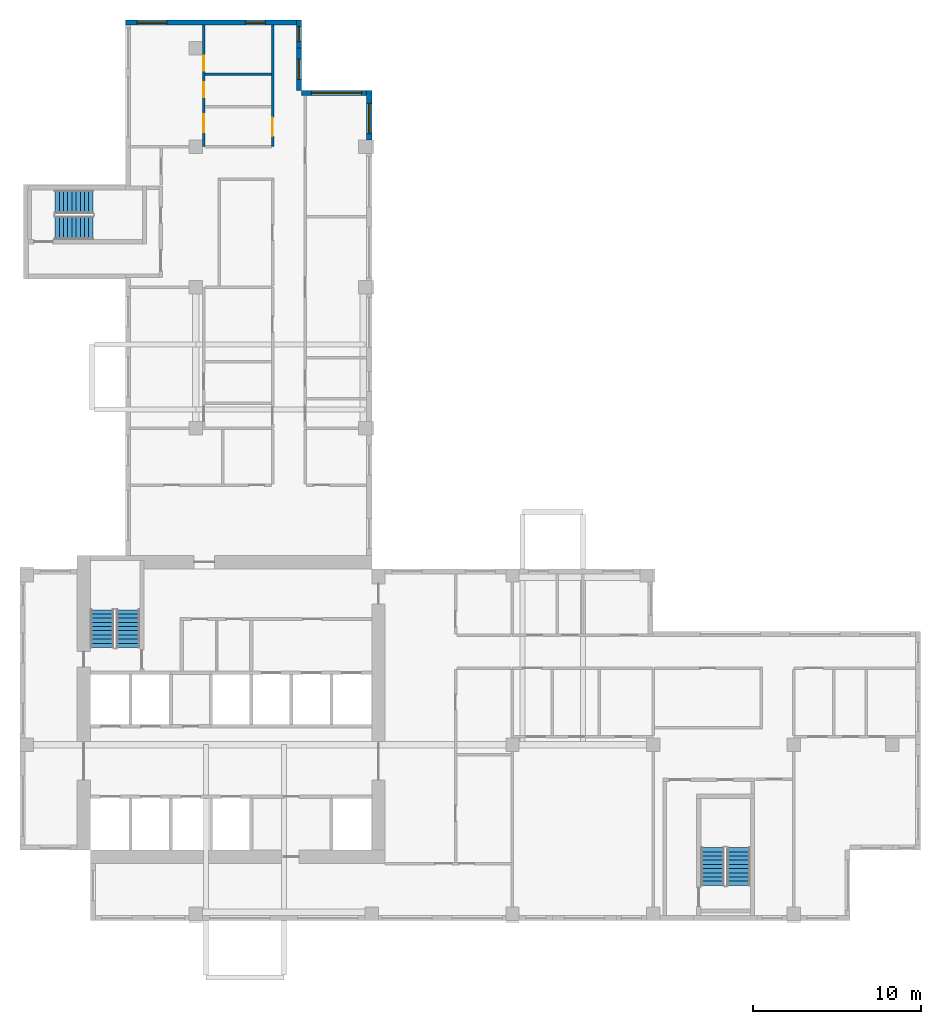
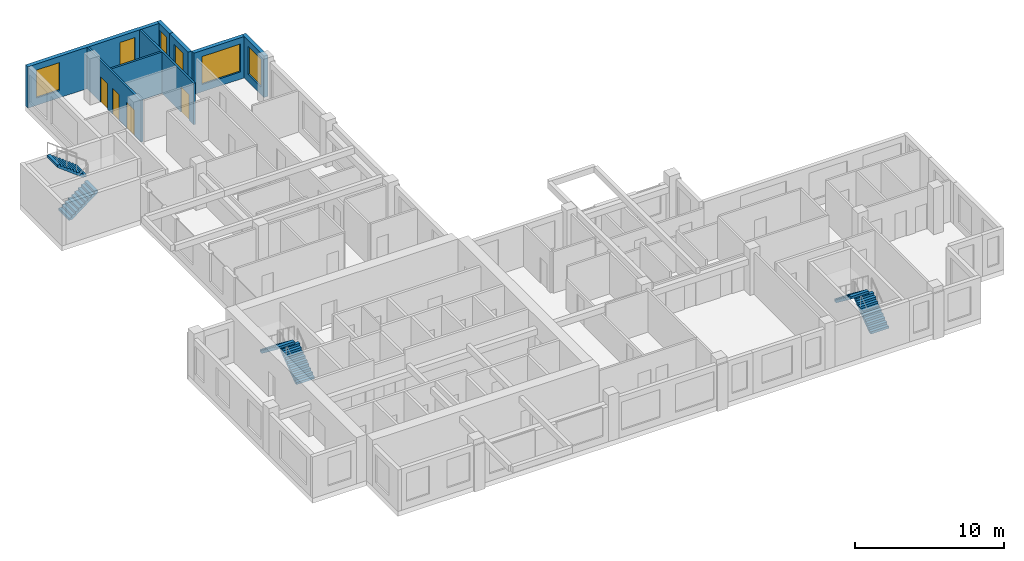
# One storey, part 7 of 11: 8 walls, 6 stair flights, 6 windows, 4 doors, 10 openings, 3 elements without a shape of their own.
"""IFC4 building model written with IfcOpenShell, lengths in metres."""

from ifc_helpers import new_model, si_unit, direction, frame, frame_2d, origin, place, context, subcontext, project, spatial, polyline, rectangle, outline, extrude, source, transform, mapped, material, layer, layer_set, type_object, element, fill, aggregate, save


model = new_model("IFC4")

# Units and contexts
model_context = context("Model", 3, precision=1e-05, world=origin(), true_north=direction((0.0, 1.0)))
body_context = subcontext(model_context, "Body", "Model", "MODEL_VIEW")
ifc_project = project(units=[si_unit("LENGTHUNIT", "METRE"), si_unit("AREAUNIT", "SQUARE_METRE"), si_unit("VOLUMEUNIT", "CUBIC_METRE"), si_unit("PLANEANGLEUNIT", "RADIAN"), si_unit("MASSUNIT", "GRAM", prefix="KILO")], contexts=[model_context])

# Site, building, storey
site_placement = place(None, origin())
site = spatial("IfcSite", under=ifc_project, at=site_placement, CompositionType="ELEMENT")
building_placement = place(site_placement, origin())
building = spatial("IfcBuilding", under=site, at=building_placement, Name="Aurelian Terraces", CompositionType="ELEMENT")
storey_placement = place(building_placement, frame((0.0, 0.0, 250.0)))
storey = spatial("IfcBuildingStorey", under=building, at=storey_placement, Name="L57", CompositionType="ELEMENT", Elevation=250.0)

# Wall, opening, window
ifc_material_1 = material(Name="Terracotta rainscreen cladding", Category="masonry")
ifc_layer_1 = layer(ifc_material_1, 0.3)
ifc_layer_set_1 = layer_set([ifc_layer_1], Name="EW-300")
wall_type_1 = type_object("IfcWallType", Name="EW-300", PredefinedType="STANDARD", material=ifc_layer_set_1)
shared_shape_1 = source(origin(), body_context, "Body", "SweptSolid", [
    extrude(rectangle(XDim=4.2, YDim=0.3, at=frame_2d((2.1, 0.0))), origin(), (0.0, 0.0, 1.0), 3.4),
])
wall_1_placement = place(storey_placement, frame((21.0, 49.41, 0.0), z_axis=(0.0, 0.0, 1.0), x_axis=(-1.0, 0.0, 0.0)))
wall_1 = element("IfcWall", 1, at=wall_1_placement, inside=storey, type_object=wall_type_1, Name="External wall L57 F09.21", PredefinedType="STANDARD", context=body_context, shape_type="MappedRepresentation", body=[
    mapped(shared_shape_1, transform((0.0, 0.0, 0.0), scale=1.0)),
])
shared_shape_2 = source(origin(), body_context, "Body", "SweptSolid", [
    extrude(rectangle(XDim=3.0, YDim=2.3, at=frame_2d((1.5, 1.15))), frame((0.0, 0.16, 0.0), z_axis=(0.0, -1.0, 0.0), x_axis=(1.0, 0.0, 0.0)), (0.0, 0.0, 1.0), 0.32),
])
opening_1_placement = place(wall_1_placement, frame((0.6, 0.0, 0.6)))
opening_1 = element("IfcOpeningElement", 2, at=opening_1_placement, cuts=wall_1, Name="Opening W3023", PredefinedType="OPENING", context=body_context, shape_type="MappedRepresentation", body=[
    mapped(shared_shape_2, transform((0.0, 0.0, 0.0), scale=1.0)),
])
ifc_material_2 = material(Name="Clear glazing", Category="glass")
window_type_1 = type_object("IfcWindowType", Name="W-3000x2300", PartitioningType="SINGLE_PANEL", PredefinedType="WINDOW", material=ifc_material_2)
shared_shape_3 = source(origin(), body_context, "Body", "SweptSolid", [
    extrude(rectangle(XDim=3.0, YDim=2.3, at=frame_2d((1.5, 1.15))), frame((0.0, 0.03, 0.0), z_axis=(0.0, -1.0, 0.0), x_axis=(1.0, 0.0, 0.0)), (0.0, 0.0, 1.0), 0.06),
])
window_1_placement = place(opening_1_placement, origin())
window_1 = element("IfcWindow", 3, at=window_1_placement, inside=storey, type_object=window_type_1, Name="Window L57 L57-F09-21-0", OverallHeight=2.3, OverallWidth=3.0, PartitioningType="SINGLE_PANEL", PredefinedType="WINDOW", context=body_context, shape_type="MappedRepresentation", body=[
    mapped(shared_shape_3, transform((0.0, 0.0, 0.0), scale=1.0)),
])
fill(opening_1, window_1)

shared_shape_4 = source(origin(), body_context, "Body", "SweptSolid", [
    extrude(rectangle(XDim=2.52, YDim=0.3, at=frame_2d((1.26, 0.0))), origin(), (0.0, 0.0, 1.0), 3.4),
])
wall_2_placement = place(storey_placement, frame((16.65, 49.56, 0.0), z_axis=(0.0, 0.0, 1.0), x_axis=(0.0, 1.0, 0.0)))
wall_2 = element("IfcWall", 4, at=wall_2_placement, inside=storey, type_object=wall_type_1, Name="External wall L57 F10.22", PredefinedType="STANDARD", context=body_context, shape_type="MappedRepresentation", body=[
    mapped(shared_shape_4, transform((0.0, 0.0, 0.0), scale=1.0)),
])
shared_shape_5 = source(origin(), body_context, "Body", "SweptSolid", [
    extrude(rectangle(XDim=1.2, YDim=2.3, at=frame_2d((0.6, 1.15))), frame((0.0, 0.16, 0.0), z_axis=(0.0, -1.0, 0.0), x_axis=(1.0, 0.0, 0.0)), (0.0, 0.0, 1.0), 0.32),
])
opening_2_placement = place(wall_2_placement, frame((0.66, 0.0, 0.6)))
opening_2 = element("IfcOpeningElement", 5, at=opening_2_placement, cuts=wall_2, Name="Opening W1223", PredefinedType="OPENING", context=body_context, shape_type="MappedRepresentation", body=[
    mapped(shared_shape_5, transform((0.0, 0.0, 0.0), scale=1.0)),
])
window_type_2 = type_object("IfcWindowType", Name="W-1200x2300", PartitioningType="SINGLE_PANEL", PredefinedType="WINDOW", material=ifc_material_2)
shared_shape_6 = source(origin(), body_context, "Body", "SweptSolid", [
    extrude(rectangle(XDim=1.2, YDim=2.3, at=frame_2d((0.6, 1.15))), frame((0.0, 0.03, 0.0), z_axis=(0.0, -1.0, 0.0), x_axis=(1.0, 0.0, 0.0)), (0.0, 0.0, 1.0), 0.06),
])
window_2_placement = place(opening_2_placement, origin())
window_2 = element("IfcWindow", 6, at=window_2_placement, inside=storey, type_object=window_type_2, Name="Window L57 L57-F10-22-0", OverallHeight=2.3, OverallWidth=1.2, PartitioningType="SINGLE_PANEL", PredefinedType="WINDOW", context=body_context, shape_type="MappedRepresentation", body=[
    mapped(shared_shape_6, transform((0.0, 0.0, 0.0), scale=1.0)),
])
fill(opening_2, window_2)

shared_shape_7 = source(origin(), body_context, "Body", "SweptSolid", [
    extrude(rectangle(XDim=1.68, YDim=0.3, at=frame_2d((0.84, 0.0))), origin(), (0.0, 0.0, 1.0), 3.4),
])
wall_3_placement = place(storey_placement, frame((16.65, 52.08, 0.0), z_axis=(0.0, 0.0, 1.0), x_axis=(0.0, 1.0, 0.0)))
wall_3 = element("IfcWall", 7, at=wall_3_placement, inside=storey, type_object=wall_type_1, Name="External wall L57 F10.23", PredefinedType="STANDARD", context=body_context, shape_type="MappedRepresentation", body=[
    mapped(shared_shape_7, transform((0.0, 0.0, 0.0), scale=1.0)),
])
shared_shape_8 = source(origin(), body_context, "Body", "SweptSolid", [
    extrude(rectangle(XDim=0.9, YDim=2.3, at=frame_2d((0.45, 1.15))), frame((0.0, 0.16, 0.0), z_axis=(0.0, -1.0, 0.0), x_axis=(1.0, 0.0, 0.0)), (0.0, 0.0, 1.0), 0.32),
])
opening_3_placement = place(wall_3_placement, frame((0.39, 0.0, 0.6)))
opening_3 = element("IfcOpeningElement", 8, at=opening_3_placement, cuts=wall_3, Name="Opening W0923", PredefinedType="OPENING", context=body_context, shape_type="MappedRepresentation", body=[
    mapped(shared_shape_8, transform((0.0, 0.0, 0.0), scale=1.0)),
])
window_type_3 = type_object("IfcWindowType", Name="W-900x2300", PartitioningType="SINGLE_PANEL", PredefinedType="WINDOW", material=ifc_material_2)
shared_shape_9 = source(origin(), body_context, "Body", "SweptSolid", [
    extrude(rectangle(XDim=0.9, YDim=2.3, at=frame_2d((0.45, 1.15))), frame((0.0, 0.03, 0.0), z_axis=(0.0, -1.0, 0.0), x_axis=(1.0, 0.0, 0.0)), (0.0, 0.0, 1.0), 0.06),
])
window_3_placement = place(opening_3_placement, origin())
window_3 = element("IfcWindow", 9, at=window_3_placement, inside=storey, type_object=window_type_3, Name="Window L57 L57-F10-23-P0", OverallHeight=2.3, OverallWidth=0.9, PartitioningType="SINGLE_PANEL", PredefinedType="WINDOW", context=body_context, shape_type="MappedRepresentation", body=[
    mapped(shared_shape_9, transform((0.0, 0.0, 0.0), scale=1.0)),
])
fill(opening_3, window_3)

# Wall, openings, windows
shared_shape_10 = source(origin(), body_context, "Body", "SweptSolid", [
    extrude(rectangle(XDim=10.5, YDim=0.3, at=frame_2d((5.25, 0.0))), origin(), (0.0, 0.0, 1.0), 3.4),
])
wall_4_placement = place(storey_placement, frame((16.8, 53.61, 0.0), z_axis=(0.0, 0.0, 1.0), x_axis=(-1.0, 0.0, 0.0)))
wall_4 = element("IfcWall", 10, at=wall_4_placement, inside=storey, type_object=wall_type_1, Name="External wall L57 F11.24", PredefinedType="STANDARD", context=body_context, shape_type="MappedRepresentation", body=[
    mapped(shared_shape_10, transform((0.0, 0.0, 0.0), scale=1.0)),
])
opening_4_placement = place(wall_4_placement, frame((2.15, 0.0, 0.6)))
opening_4 = element("IfcOpeningElement", 11, at=opening_4_placement, cuts=wall_4, Name="Opening W1223", PredefinedType="OPENING", context=body_context, shape_type="MappedRepresentation", body=[
    mapped(shared_shape_5, transform((0.0, 0.0, 0.0), scale=1.0)),
])
shared_shape_11 = source(origin(), body_context, "Body", "SweptSolid", [
    extrude(rectangle(XDim=1.8, YDim=2.3, at=frame_2d((0.9, 1.15))), frame((0.0, 0.16, 0.0), z_axis=(0.0, -1.0, 0.0), x_axis=(1.0, 0.0, 0.0)), (0.0, 0.0, 1.0), 0.32),
])
opening_5_placement = place(wall_4_placement, frame((8.025, 0.0, 0.6)))
opening_5 = element("IfcOpeningElement", 12, at=opening_5_placement, cuts=wall_4, Name="Opening W1823", PredefinedType="OPENING", context=body_context, shape_type="MappedRepresentation", body=[
    mapped(shared_shape_11, transform((0.0, 0.0, 0.0), scale=1.0)),
])
window_4_placement = place(opening_4_placement, origin())
window_4 = element("IfcWindow", 13, at=window_4_placement, inside=storey, type_object=window_type_2, Name="Window L57 L57-F11-24-0", OverallHeight=2.3, OverallWidth=1.2, PartitioningType="SINGLE_PANEL", PredefinedType="WINDOW", context=body_context, shape_type="MappedRepresentation", body=[
    mapped(shared_shape_6, transform((0.0, 0.0, 0.0), scale=1.0)),
])
fill(opening_4, window_4)
window_type_4 = type_object("IfcWindowType", Name="W-1800x2300", PartitioningType="SINGLE_PANEL", PredefinedType="WINDOW", material=ifc_material_2)
shared_shape_12 = source(origin(), body_context, "Body", "SweptSolid", [
    extrude(rectangle(XDim=1.8, YDim=2.3, at=frame_2d((0.9, 1.15))), frame((0.0, 0.03, 0.0), z_axis=(0.0, -1.0, 0.0), x_axis=(1.0, 0.0, 0.0)), (0.0, 0.0, 1.0), 0.06),
])
window_5_placement = place(opening_5_placement, origin())
window_5 = element("IfcWindow", 14, at=window_5_placement, inside=storey, type_object=window_type_4, Name="Window L57 L57-F11-24-2", OverallHeight=2.3, OverallWidth=1.8, PartitioningType="SINGLE_PANEL", PredefinedType="WINDOW", context=body_context, shape_type="MappedRepresentation", body=[
    mapped(shared_shape_12, transform((0.0, 0.0, 0.0), scale=1.0)),
])
fill(opening_5, window_5)

# Wall, opening, window
shared_shape_13 = source(origin(), body_context, "Body", "SweptSolid", [
    extrude(rectangle(XDim=2.96, YDim=0.3, at=frame_2d((1.48, 0.0))), origin(), (0.0, 0.0, 1.0), 3.4),
])
wall_5_placement = place(storey_placement, frame((20.85, 46.6, 0.0), z_axis=(0.0, 0.0, 1.0), x_axis=(0.0, 1.0, 0.0)))
wall_5 = element("IfcWall", 15, at=wall_5_placement, inside=storey, type_object=wall_type_1, Name="External wall L57 F08.20", PredefinedType="STANDARD", context=body_context, shape_type="MappedRepresentation", body=[
    mapped(shared_shape_13, transform((0.0, 0.0, 0.0), scale=1.0)),
])
opening_6_placement = place(wall_5_placement, frame((0.38, 0.0, 0.6)))
opening_6 = element("IfcOpeningElement", 16, at=opening_6_placement, cuts=wall_5, Name="Opening W1823", PredefinedType="OPENING", context=body_context, shape_type="MappedRepresentation", body=[
    mapped(shared_shape_11, transform((0.0, 0.0, 0.0), scale=1.0)),
])
window_6_placement = place(opening_6_placement, origin())
window_6 = element("IfcWindow", 17, at=window_6_placement, inside=storey, type_object=window_type_4, Name="Window L57 L57-F08-20-0", OverallHeight=2.3, OverallWidth=1.8, PartitioningType="SINGLE_PANEL", PredefinedType="WINDOW", context=body_context, shape_type="MappedRepresentation", body=[
    mapped(shared_shape_12, transform((0.0, 0.0, 0.0), scale=1.0)),
])
fill(opening_6, window_6)

# Wall, openings, doors
ifc_material_3 = material(Name="Gypsum board on steel studs", Category="steel")
ifc_layer_2 = layer(ifc_material_3, 0.15)
ifc_layer_set_2 = layer_set([ifc_layer_2], Name="Partition 150")
wall_type_2 = type_object("IfcWallType", Name="Partition 150", PredefinedType="PARTITIONING", material=ifc_layer_set_2)
shared_shape_14 = source(origin(), body_context, "Body", "SweptSolid", [
    extrude(rectangle(XDim=7.26, YDim=0.15, at=frame_2d((3.63, 0.0))), origin(), (0.0, 0.0, 1.0), 3.4),
])
wall_6_placement = place(storey_placement, frame((10.975, 46.2, 0.0), z_axis=(0.0, 0.0, 1.0), x_axis=(0.0, 1.0, 0.0)))
wall_6 = element("IfcWall", 18, at=wall_6_placement, inside=storey, type_object=wall_type_2, Name="Partition", PredefinedType="PARTITIONING", context=body_context, shape_type="MappedRepresentation", body=[
    mapped(shared_shape_14, transform((0.0, 0.0, 0.0), scale=1.0)),
])
shared_shape_15 = source(origin(), body_context, "Body", "SweptSolid", [
    extrude(rectangle(XDim=1.1, YDim=2.1, at=frame_2d((0.55, 1.05))), frame((0.0, 0.085, 0.0), z_axis=(0.0, -1.0, 0.0), x_axis=(1.0, 0.0, 0.0)), (0.0, 0.0, 1.0), 0.17),
])
opening_7_placement = place(wall_6_placement, frame((0.8474, 0.0, 0.0)))
opening_7 = element("IfcOpeningElement", 19, at=opening_7_placement, cuts=wall_6, Name="Opening 757028", PredefinedType="OPENING", context=body_context, shape_type="MappedRepresentation", body=[
    mapped(shared_shape_15, transform((0.0, 0.0, 0.0), scale=1.0)),
])
shared_shape_16 = source(origin(), body_context, "Body", "SweptSolid", [
    extrude(rectangle(XDim=0.9, YDim=2.1, at=frame_2d((0.45, 1.05))), frame((0.0, 0.085, 0.0), z_axis=(0.0, -1.0, 0.0), x_axis=(1.0, 0.0, 0.0)), (0.0, 0.0, 1.0), 0.17),
])
opening_8_placement = place(wall_6_placement, frame((2.9464, 0.0, 0.0)))
opening_8 = element("IfcOpeningElement", 20, at=opening_8_placement, cuts=wall_6, Name="Opening 757029", PredefinedType="OPENING", context=body_context, shape_type="MappedRepresentation", body=[
    mapped(shared_shape_16, transform((0.0, 0.0, 0.0), scale=1.0)),
])
opening_9_placement = place(wall_6_placement, frame((4.529, 0.0, 0.0)))
opening_9 = element("IfcOpeningElement", 21, at=opening_9_placement, cuts=wall_6, Name="Opening 757030", PredefinedType="OPENING", context=body_context, shape_type="MappedRepresentation", body=[
    mapped(shared_shape_16, transform((0.0, 0.0, 0.0), scale=1.0)),
])
ifc_material_4 = material(Name="Timber door leaf", Category="wood")
door_type_1 = type_object("IfcDoorType", Name="Room door 900x2100 left", OperationType="SINGLE_SWING_LEFT", PredefinedType="DOOR", material=ifc_material_4)
shared_shape_17 = source(origin(), body_context, "Body", "SweptSolid", [
    extrude(rectangle(XDim=0.9, YDim=2.1, at=frame_2d((0.45, 1.05))), frame((0.0, 0.025, 0.0), z_axis=(0.0, -1.0, 0.0), x_axis=(1.0, 0.0, 0.0)), (0.0, 0.0, 1.0), 0.05),
])
door_1_placement = place(opening_8_placement, origin())
door_1 = element("IfcDoor", 22, at=door_1_placement, inside=storey, type_object=door_type_1, Name="Door 757029", OperationType="SINGLE_SWING_LEFT", OverallHeight=2.1, OverallWidth=0.9, PredefinedType="DOOR", context=body_context, shape_type="MappedRepresentation", body=[
    mapped(shared_shape_17, transform((0.0, 0.0, 0.0), scale=1.0)),
])
fill(opening_8, door_1)
door_type_2 = type_object("IfcDoorType", Name="Room door 900x2100 right", OperationType="SINGLE_SWING_RIGHT", PredefinedType="DOOR", material=ifc_material_4)
door_2_placement = place(opening_9_placement, origin())
door_2 = element("IfcDoor", 23, at=door_2_placement, inside=storey, type_object=door_type_2, Name="Door 757030", OperationType="SINGLE_SWING_RIGHT", OverallHeight=2.1, OverallWidth=0.9, PredefinedType="DOOR", context=body_context, shape_type="MappedRepresentation", body=[
    mapped(shared_shape_17, transform((0.0, 0.0, 0.0), scale=1.0)),
])
fill(opening_9, door_2)
door_type_3 = type_object("IfcDoorType", Name="Room door 1100x2100 right", OperationType="SINGLE_SWING_RIGHT", PredefinedType="DOOR", material=ifc_material_4)
shared_shape_18 = source(origin(), body_context, "Body", "SweptSolid", [
    extrude(rectangle(XDim=1.1, YDim=2.1, at=frame_2d((0.55, 1.05))), frame((0.0, 0.025, 0.0), z_axis=(0.0, -1.0, 0.0), x_axis=(1.0, 0.0, 0.0)), (0.0, 0.0, 1.0), 0.05),
])
door_3_placement = place(opening_7_placement, origin())
door_3 = element("IfcDoor", 24, at=door_3_placement, inside=storey, type_object=door_type_3, Name="Door 757028", OperationType="SINGLE_SWING_RIGHT", OverallHeight=2.1, OverallWidth=1.1, PredefinedType="DOOR", context=body_context, shape_type="MappedRepresentation", body=[
    mapped(shared_shape_18, transform((0.0, 0.0, 0.0), scale=1.0)),
])
fill(opening_7, door_3)

# Wall, opening, door
ifc_layer_3 = layer(ifc_material_3, 0.15)
ifc_layer_set_3 = layer_set([ifc_layer_3], Name="Fire partition 150")
wall_type_3 = type_object("IfcWallType", Name="Fire partition 150", PredefinedType="PARTITIONING", material=ifc_layer_set_3)
wall_7_placement = place(storey_placement, frame((15.075, 46.2, 0.0), z_axis=(0.0, 0.0, 1.0), x_axis=(0.0, 1.0, 0.0)))
wall_7 = element("IfcWall", 25, at=wall_7_placement, inside=storey, type_object=wall_type_3, Name="Corridor wall", PredefinedType="PARTITIONING", context=body_context, shape_type="MappedRepresentation", body=[
    mapped(shared_shape_14, transform((0.0, 0.0, 0.0), scale=1.0)),
])
opening_10_placement = place(wall_7_placement, frame((0.6349, 0.0, 0.0)))
opening_10 = element("IfcOpeningElement", 26, at=opening_10_placement, cuts=wall_7, Name="Opening 757027", PredefinedType="OPENING", context=body_context, shape_type="MappedRepresentation", body=[
    mapped(shared_shape_15, transform((0.0, 0.0, 0.0), scale=1.0)),
])
ifc_material_5 = material(Name="Steel door leaf", Category="steel")
door_type_4 = type_object("IfcDoorType", Name="Entrance fire door 1100x2100 left", OperationType="SINGLE_SWING_LEFT", PredefinedType="DOOR", material=ifc_material_5)
door_4_placement = place(opening_10_placement, origin())
door_4 = element("IfcDoor", 27, at=door_4_placement, inside=storey, type_object=door_type_4, Name="Door 757027", OperationType="SINGLE_SWING_LEFT", OverallHeight=2.1, OverallWidth=1.1, PredefinedType="DOOR", context=body_context, shape_type="MappedRepresentation", body=[
    mapped(shared_shape_18, transform((0.0, 0.0, 0.0), scale=1.0)),
])
fill(opening_10, door_4)

# Wall
shared_shape_19 = source(origin(), body_context, "Body", "SweptSolid", [
    extrude(rectangle(XDim=3.95, YDim=0.15, at=frame_2d((1.975, 0.0))), origin(), (0.0, 0.0, 1.0), 3.4),
])
wall_8_placement = place(storey_placement, frame((15.0, 50.5229, 0.0), z_axis=(0.0, 0.0, 1.0), x_axis=(-1.0, 0.0, 0.0)))
element("IfcWall", 28, at=wall_8_placement, inside=storey, type_object=wall_type_2, Name="Partition", PredefinedType="PARTITIONING", context=body_context, shape_type="MappedRepresentation", body=[
    mapped(shared_shape_19, transform((0.0, 0.0, 0.0), scale=1.0)),
])

# Stair, stair flights
ifc_material_6 = material(Name="Concrete fc' 40 MPa", Category="concrete")
stair_type = type_object("IfcStairType", Name="Stair 1400", PredefinedType="HALF_TURN_STAIR", material=ifc_material_6)
stair_1_placement = place(storey_placement, origin())
stair_1 = element("IfcStair", 29, at=stair_1_placement, inside=storey, type_object=stair_type, Name="L57 S1", PredefinedType="HALF_TURN_STAIR")
stair_flight_type = type_object("IfcStairFlightType", Name="Stair flight 1400", PredefinedType="STRAIGHT", material=ifc_material_6)
shared_shape_20 = source(origin(), body_context, "Body", "SweptSolid", [
    extrude(outline(polyline([(0.0, 0.0), (0.0, 0.19), (0.25, 0.19), (0.25, 0.38), (0.5, 0.38), (0.5, 0.57), (0.75, 0.57), (0.75, 0.76), (1.0, 0.76), (1.0, 0.95), (1.25, 0.95), (1.25, 1.14), (1.5, 1.14), (1.5, 1.33), (1.75, 1.33), (1.75, 1.52), (2.0, 1.52), (2.0, 1.71), (2.25, 1.71), (2.25, 1.9), (2.25, 1.5216), (0.2479, 0.0), (0.0, 0.0)])), frame((0.0, 0.7, 0.0), z_axis=(0.0, -1.0, 0.0), x_axis=(1.0, 0.0, 0.0)), (0.0, 0.0, 1.0), 1.4),
])
stair_flight_1_placement = place(storey_placement, frame((6.45, 16.3, 2e-08), z_axis=(0.0, 0.0, 1.0), x_axis=(0.0, 1.0, 0.0)))
stair_flight_1 = element("IfcStairFlight", 30, at=stair_flight_1_placement, type_object=stair_flight_type, Name="S1 flight 1", NumberOfRisers=10, NumberOfTreads=9, PredefinedType="STRAIGHT", RiserHeight=0.19, TreadLength=0.25, context=body_context, shape_type="MappedRepresentation", body=[
    mapped(shared_shape_20, transform((0.0, 0.0, 0.0), scale=1.0)),
])
stair_flight_2_placement = place(storey_placement, frame((4.9, 18.55, 1.9000000200000058), z_axis=(0.0, 0.0, 1.0), x_axis=(0.0, -1.0, 0.0)))
stair_flight_2 = element("IfcStairFlight", 31, at=stair_flight_2_placement, type_object=stair_flight_type, Name="S1 flight 2", NumberOfRisers=10, NumberOfTreads=9, PredefinedType="STRAIGHT", RiserHeight=0.19, TreadLength=0.25, context=body_context, shape_type="MappedRepresentation", body=[
    mapped(shared_shape_20, transform((0.0, 0.0, 0.0), scale=1.0)),
])
aggregate(stair_1, [stair_flight_1, stair_flight_2])

stair_2_placement = place(storey_placement, origin())
stair_2 = element("IfcStair", 32, at=stair_2_placement, inside=storey, type_object=stair_type, Name="L57 S2", PredefinedType="HALF_TURN_STAIR")
stair_flight_3_placement = place(storey_placement, frame((42.9, 2.1, 2e-08), z_axis=(0.0, 0.0, 1.0), x_axis=(0.0, 1.0, 0.0)))
stair_flight_3 = element("IfcStairFlight", 33, at=stair_flight_3_placement, type_object=stair_flight_type, Name="S2 flight 1", NumberOfRisers=10, NumberOfTreads=9, PredefinedType="STRAIGHT", RiserHeight=0.19, TreadLength=0.25, context=body_context, shape_type="MappedRepresentation", body=[
    mapped(shared_shape_20, transform((0.0, 0.0, 0.0), scale=1.0)),
])
stair_flight_4_placement = place(storey_placement, frame((41.35, 4.35, 1.9000000200000058), z_axis=(0.0, 0.0, 1.0), x_axis=(0.0, -1.0, 0.0)))
stair_flight_4 = element("IfcStairFlight", 34, at=stair_flight_4_placement, type_object=stair_flight_type, Name="S2 flight 2", NumberOfRisers=10, NumberOfTreads=9, PredefinedType="STRAIGHT", RiserHeight=0.19, TreadLength=0.25, context=body_context, shape_type="MappedRepresentation", body=[
    mapped(shared_shape_20, transform((0.0, 0.0, 0.0), scale=1.0)),
])
aggregate(stair_2, [stair_flight_3, stair_flight_4])

stair_3_placement = place(storey_placement, origin())
stair_3 = element("IfcStair", 35, at=stair_3_placement, inside=storey, type_object=stair_type, Name="L57 S3", PredefinedType="HALF_TURN_STAIR")
stair_flight_5_placement = place(storey_placement, frame((2.1, 41.35, 2e-08), z_axis=(0.0, 0.0, 1.0), x_axis=(1.0, 0.0, 0.0)))
stair_flight_5 = element("IfcStairFlight", 36, at=stair_flight_5_placement, type_object=stair_flight_type, Name="S3 flight 1", NumberOfRisers=10, NumberOfTreads=9, PredefinedType="STRAIGHT", RiserHeight=0.19, TreadLength=0.25, context=body_context, shape_type="MappedRepresentation", body=[
    mapped(shared_shape_20, transform((0.0, 0.0, 0.0), scale=1.0)),
])
stair_flight_6_placement = place(storey_placement, frame((4.35, 42.9, 1.9000000200000058), z_axis=(0.0, 0.0, 1.0), x_axis=(-1.0, 0.0, 0.0)))
stair_flight_6 = element("IfcStairFlight", 37, at=stair_flight_6_placement, type_object=stair_flight_type, Name="S3 flight 2", NumberOfRisers=10, NumberOfTreads=9, PredefinedType="STRAIGHT", RiserHeight=0.19, TreadLength=0.25, context=body_context, shape_type="MappedRepresentation", body=[
    mapped(shared_shape_20, transform((0.0, 0.0, 0.0), scale=1.0)),
])
aggregate(stair_3, [stair_flight_5, stair_flight_6])

save(model, "model.ifc")
